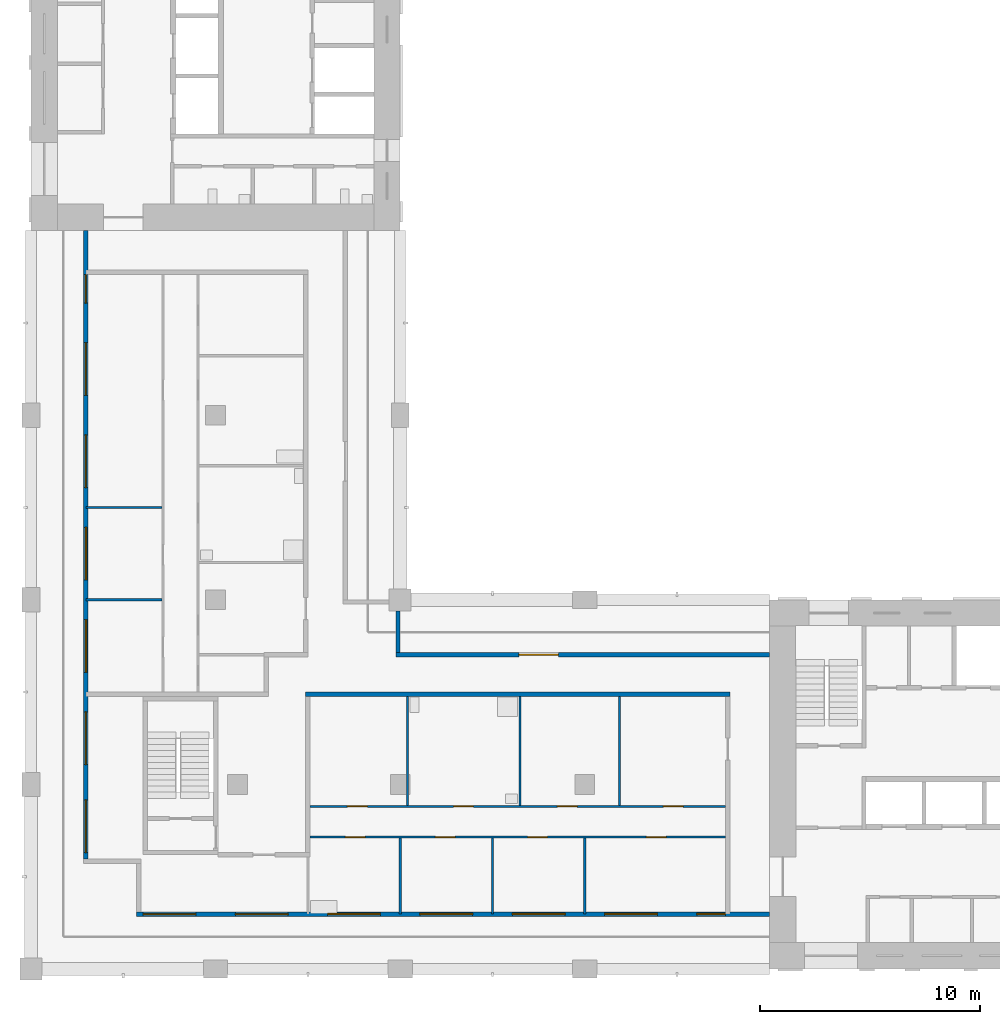
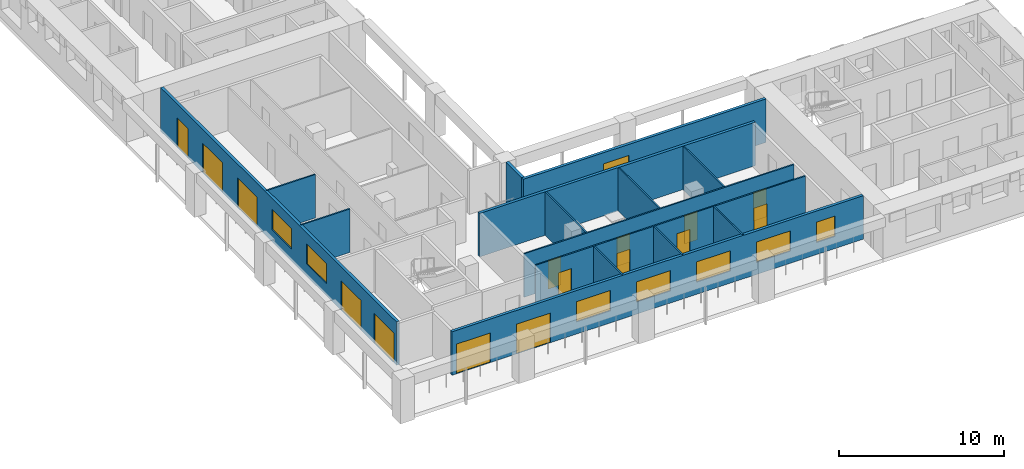
# One storey, part 2 of 9: 16 doors, 15 walls, 7 windows, 23 openings.
"""IFC4 building model written with IfcOpenShell, lengths in metres."""

import ifcopenshell
import ifcopenshell.guid

model = None  # the IFC model being written
_history = None  # IfcOwnerHistory: only IFC2X3 demands one
_inside = {}  # id of a spatial element -> (the spatial element, [elements in it])
_under = {}  # id of a project, library or spatial element -> (it, [spatial elements below it])
_declared = {}  # id of a project -> (the project, [libraries it declares])
_typed = {}  # id of a type object -> (the type object, [elements of that type])
_made_of = {}  # id of a material, layer set ... -> (it, [elements and type objects made of it])


def new_model(schema):
    """Start an empty IFC model of exactly this schema.

    Asked for "IFC4X3", IfcOpenShell would pick the latest addendum, in which some entities
    have other attributes; the version numbers below select the first issue.
    IFC2X3 requires an IfcOwnerHistory on every rooted entity: one is made here for all.
    """
    global model, _history
    if schema == "IFC4X3":
        model = ifcopenshell.file(schema_version=(4, 3, 0, 0))
    else:
        model = ifcopenshell.file(schema=schema)
    _inside.clear()
    _under.clear()
    _declared.clear()
    _typed.clear()
    _made_of.clear()
    _history = None
    if model.schema == "IFC2X3":
        org = make("IfcOrganization", Name="unknown")
        user = make(
            "IfcPersonAndOrganization",
            ThePerson=make("IfcPerson", FamilyName="unknown"),
            TheOrganization=org,
        )
        app = make(
            "IfcApplication",
            ApplicationDeveloper=org,
            Version="unknown",
            ApplicationFullName="unknown",
            ApplicationIdentifier="unknown",
        )
        _history = make(
            "IfcOwnerHistory",
            OwningUser=user,
            OwningApplication=app,
            ChangeAction="ADDED",
            CreationDate=0,
        )
    return model


def make(cls, **values):
    """One entity of the class cls with the attributes given. An attribute that is None is left unset."""
    return model.create_entity(
        cls, **{name: value for name, value in values.items() if value is not None}
    )


def rooted(cls, **values):
    """An entity with a GlobalId (a new one), such as an element, a storey or a relation."""
    return make(cls, GlobalId=ifcopenshell.guid.new(), OwnerHistory=_history, **values)


def si_unit(unit_type, name, prefix=None):
    """IfcSIUnit, for example si_unit("LENGTHUNIT", "METRE", prefix="MILLI")."""
    return make("IfcSIUnit", UnitType=unit_type, Prefix=prefix, Name=name)


def assignment(units):
    """IfcUnitAssignment: the units of a project."""
    return None if units is None else make("IfcUnitAssignment", Units=units)


def point(xyz):
    """IfcCartesianPoint."""
    return None if xyz is None else make("IfcCartesianPoint", Coordinates=xyz)


def direction(xyz):
    """IfcDirection."""
    return None if xyz is None else make("IfcDirection", DirectionRatios=xyz)


def frame(location, z_axis=None, x_axis=None):
    """IfcAxis2Placement3D, a coordinate frame: its origin and axes. An axis left out is left unset."""
    return make(
        "IfcAxis2Placement3D",
        Location=point(location),
        Axis=direction(z_axis),
        RefDirection=direction(x_axis),
    )


def frame_2d(location, x_axis=None):
    """IfcAxis2Placement2D, a coordinate frame in the plane: its origin and x axis."""
    return make(
        "IfcAxis2Placement2D", Location=point(location), RefDirection=direction(x_axis)
    )


def origin():
    """The frame at (0, 0, 0) with its axes left unset."""
    return frame((0.0, 0.0, 0.0))


def place(relative_to, where):
    """IfcLocalPlacement: puts the frame where relative to a parent placement (None: the world)."""
    return make(
        "IfcLocalPlacement", PlacementRelTo=relative_to, RelativePlacement=where
    )


def context(
    kind, dimensions, precision=None, world=None, true_north=None, identifier=None
):
    """IfcGeometricRepresentationContext, for example the 3D "Model" context."""
    return make(
        "IfcGeometricRepresentationContext",
        ContextIdentifier=identifier,
        ContextType=kind,
        CoordinateSpaceDimension=dimensions,
        Precision=precision,
        WorldCoordinateSystem=world,
        TrueNorth=true_north,
    )


def subcontext(parent, identifier, kind, view, scale=None):
    """IfcGeometricRepresentationSubContext, for example "Body" below "Model"."""
    return make(
        "IfcGeometricRepresentationSubContext",
        ContextIdentifier=identifier,
        ContextType=kind,
        ParentContext=parent,
        TargetScale=scale,
        TargetView=view,
    )


def project(units=None, contexts=None):
    """IfcProject with its units and contexts."""
    return rooted(
        "IfcProject",
        Name="project",
        RepresentationContexts=contexts,
        UnitsInContext=assignment(units),
    )


def spatial(cls, under=None, at=None, **own):
    """A site, building, storey or space (cls), placed at a placement, below another one or the project."""
    s = rooted(cls, ObjectPlacement=at, **own)
    if under is not None:
        _under.setdefault(under.id(), (under, []))[1].append(s)
    return s


def profile(cls, at=None, kind="AREA", **sizes):
    """A parametric profile (cls). Its sizes go by their IFC names, for example OverallWidth=200.0."""
    return make(cls, ProfileType=kind, Position=at, **sizes)


def rectangle(**sizes):
    """IfcRectangleProfileDef."""
    return profile("IfcRectangleProfileDef", **sizes)


def extrude(swept, where, along, depth):
    """IfcExtrudedAreaSolid: the profile swept, set in the frame where, extruded along a direction by depth."""
    return make(
        "IfcExtrudedAreaSolid",
        SweptArea=swept,
        Position=where,
        ExtrudedDirection=direction(along),
        Depth=depth,
    )


def shape(context_of_items, identifier, shape_type, items):
    """IfcShapeRepresentation: the items that make up one representation, for example the "Body"."""
    return make(
        "IfcShapeRepresentation",
        ContextOfItems=context_of_items,
        RepresentationIdentifier=identifier,
        RepresentationType=shape_type,
        Items=items,
    )


def material(Name=None, Category=None):
    """IfcMaterial."""
    return make("IfcMaterial", Name=Name, Category=Category)


def layer(
    of_material, thickness, ventilated=None, Name=None, Category=None, Priority=None
):
    """IfcMaterialLayer: one layer of a wall or slab, of a material (None: an air gap)."""
    return make(
        "IfcMaterialLayer",
        Material=of_material,
        LayerThickness=thickness,
        IsVentilated=ventilated,
        Name=Name,
        Category=Category,
        Priority=Priority,
    )


def layer_set(layers, Name=None):
    """IfcMaterialLayerSet."""
    return make("IfcMaterialLayerSet", MaterialLayers=layers, LayerSetName=Name)


def made_of(thing, what):
    """Note that an element or type object is made of a material, layer set ...; save() writes the relation."""
    if what is not None:
        _made_of.setdefault(what.id(), (what, []))[1].append(thing)
    return thing


def type_object(cls, material=None, **own):
    """A type object (cls), such as IfcWallType, which elements share."""
    return made_of(rooted(cls, **own), material)


def element(
    cls,
    number,
    at=None,
    inside=None,
    cuts=None,
    type_object=None,
    material=None,
    context=None,
    identifier="Body",
    shape_type=None,
    held_by="IfcProductDefinitionShape",
    body=None,
    shapes=None,
    **own,
):
    """One element of the class cls, such as IfcWall. Its Tag is "e" and its number.

    at: its placement. inside: the storey or other place that contains it. cuts: it is an
    opening in that element (IfcRelVoidsElement). A single representation is given by context,
    identifier, shape_type and body (its items); several are given by shapes. held_by: the class
    of the entity that holds the representations. save() writes the other relations.
    """
    e = rooted(cls, Tag="e%d" % number, ObjectPlacement=at, **own)
    if body is not None:
        shapes = [shape(context, identifier, shape_type, body)]
    if shapes is not None:
        e.Representation = make(held_by, Representations=shapes)
    if inside is not None:
        _inside.setdefault(inside.id(), (inside, []))[1].append(e)
    if cuts is not None:
        rooted(
            "IfcRelVoidsElement", RelatingBuildingElement=cuts, RelatedOpeningElement=e
        )
    if type_object is not None:
        _typed.setdefault(type_object.id(), (type_object, []))[1].append(e)
    return made_of(e, material)


def fill(opening, filler):
    """IfcRelFillsElement: the door or window that sits in an opening."""
    return rooted(
        "IfcRelFillsElement",
        RelatingOpeningElement=opening,
        RelatedBuildingElement=filler,
    )


def aggregate(whole, parts):
    """IfcRelAggregates: a whole, such as a stair, and the parts it consists of."""
    return rooted("IfcRelAggregates", RelatingObject=whole, RelatedObjects=parts)


def save(model, path):
    """Write the relations noted so far, then the file.

    IfcRelAggregates (storeys below a building ...), IfcRelContainedInSpatialStructure (elements
    in a storey), IfcRelDefinesByType, IfcRelAssociatesMaterial and IfcRelDeclares: one each for
    every whole, place, type object, material and project.
    """
    for whole, parts in _under.values():
        aggregate(whole, parts)
    for where, things in _inside.values():
        rooted(
            "IfcRelContainedInSpatialStructure",
            RelatedElements=things,
            RelatingStructure=where,
        )
    for kind, things in _typed.values():
        rooted("IfcRelDefinesByType", RelatedObjects=things, RelatingType=kind)
    for what, things in _made_of.values():
        rooted("IfcRelAssociatesMaterial", RelatedObjects=things, RelatingMaterial=what)
    for by, libraries in _declared.values():
        rooted("IfcRelDeclares", RelatingContext=by, RelatedDefinitions=libraries)
    model.write(path)


model = new_model("IFC4")

# Units and contexts
model_context = context("Model", 3, precision=1e-05, world=origin(), true_north=direction((0.0, 1.0)))
body_context = subcontext(model_context, "Body", "Model", "MODEL_VIEW")
ifc_project = project(units=[si_unit("LENGTHUNIT", "METRE"), si_unit("AREAUNIT", "SQUARE_METRE"), si_unit("VOLUMEUNIT", "CUBIC_METRE"), si_unit("PLANEANGLEUNIT", "RADIAN"), si_unit("MASSUNIT", "GRAM", prefix="KILO")], contexts=[model_context])

# Site, building, storey
site_placement = place(None, origin())
site = spatial("IfcSite", under=ifc_project, at=site_placement, CompositionType="ELEMENT")
building_placement = place(site_placement, origin())
building = spatial("IfcBuilding", under=site, at=building_placement, Name="Vermilion Gate Residences", CompositionType="ELEMENT")
storey_placement = place(building_placement, frame((0.0, 0.0, 224.699951171875)))
storey = spatial("IfcBuildingStorey", under=building, at=storey_placement, Name="L58", CompositionType="ELEMENT", Elevation=224.699951171875)

# Wall, openings, doors, windows
ifc_material_1 = material(Name="Insulated steel stud wall with terracotta rainscreen", Category="masonry")
ifc_layer_1 = layer(ifc_material_1, 0.199951171875)
ifc_layer_set_1 = layer_set([ifc_layer_1], Name="EXTERNAL WALL 200 TERRACOTTA RAINSCREEN")
wall_type_1 = type_object("IfcWallType", Name="EXTERNAL WALL 200 TERRACOTTA RAINSCREEN", PredefinedType="SOLIDWALL", material=ifc_layer_set_1)
wall_1_placement = place(storey_placement, frame((10.89990234375, 42.0, 0.0), z_axis=(0.0, 0.0, 1.0), x_axis=(0.0, -1.0, 0.0)))
wall_1 = element("IfcWall", 1, at=wall_1_placement, inside=storey, type_object=wall_type_1, Name="External wall", PredefinedType="SOLIDWALL", context=body_context, shape_type="SweptSolid", body=[
    extrude(rectangle(XDim=28.60009765625, YDim=0.199951171875, at=frame_2d((14.300048828125, 0.0))), origin(), (0.0, 0.0, 1.0), 3.219970703125),
])
opening_1_placement = place(wall_1_placement, frame((25.89990234375, 0.0, 0.0)))
opening_1 = element("IfcOpeningElement", 2, at=opening_1_placement, cuts=wall_1, Name="Opening DE58001", PredefinedType="OPENING", context=body_context, shape_type="SweptSolid", body=[
    extrude(rectangle(XDim=2.39990234375, YDim=2.199951171875, at=frame_2d((1.199951171875, 1.10009765625))), frame((0.0, 0.10986328125, 0.0), z_axis=(0.0, -1.0, 0.0), x_axis=(1.0, 0.0, 0.0)), (0.0, 0.0, 1.0), 0.219970703125),
])
opening_2_placement = place(wall_1_placement, frame((21.89990234375, 0.0, 0.0)))
opening_2 = element("IfcOpeningElement", 3, at=opening_2_placement, cuts=wall_1, Name="Opening DE58002", PredefinedType="OPENING", context=body_context, shape_type="SweptSolid", body=[
    extrude(rectangle(XDim=2.39990234375, YDim=2.199951171875, at=frame_2d((1.199951171875, 1.10009765625))), frame((0.0, 0.10986328125, 0.0), z_axis=(0.0, -1.0, 0.0), x_axis=(1.0, 0.0, 0.0)), (0.0, 0.0, 1.0), 0.219970703125),
])
opening_3_placement = place(wall_1_placement, frame((17.699951171875, 0.0, 0.89990234375)))
opening_3 = element("IfcOpeningElement", 4, at=opening_3_placement, cuts=wall_1, Name="Opening WE58003", PredefinedType="OPENING", context=body_context, shape_type="SweptSolid", body=[
    extrude(rectangle(XDim=2.39990234375, YDim=1.5, at=frame_2d((1.199951171875, 0.75))), frame((0.0, 0.10986328125, 0.0), z_axis=(0.0, -1.0, 0.0), x_axis=(1.0, 0.0, 0.0)), (0.0, 0.0, 1.0), 0.219970703125),
])
opening_4_placement = place(wall_1_placement, frame((13.5, 0.0, 0.89990234375)))
opening_4 = element("IfcOpeningElement", 5, at=opening_4_placement, cuts=wall_1, Name="Opening WE58004", PredefinedType="OPENING", context=body_context, shape_type="SweptSolid", body=[
    extrude(rectangle(XDim=2.39990234375, YDim=1.5, at=frame_2d((1.199951171875, 0.75))), frame((0.0, 0.10986328125, 0.0), z_axis=(0.0, -1.0, 0.0), x_axis=(1.0, 0.0, 0.0)), (0.0, 0.0, 1.0), 0.219970703125),
])
opening_5_placement = place(wall_1_placement, frame((9.300048828125, 0.0, 0.0)))
opening_5 = element("IfcOpeningElement", 6, at=opening_5_placement, cuts=wall_1, Name="Opening DE58005", PredefinedType="OPENING", context=body_context, shape_type="SweptSolid", body=[
    extrude(rectangle(XDim=2.39990234375, YDim=2.199951171875, at=frame_2d((1.199951171875, 1.10009765625))), frame((0.0, 0.10986328125, 0.0), z_axis=(0.0, -1.0, 0.0), x_axis=(1.0, 0.0, 0.0)), (0.0, 0.0, 1.0), 0.219970703125),
])
opening_6_placement = place(wall_1_placement, frame((5.10009765625, 0.0, 0.0)))
opening_6 = element("IfcOpeningElement", 7, at=opening_6_placement, cuts=wall_1, Name="Opening DE58006", PredefinedType="OPENING", context=body_context, shape_type="SweptSolid", body=[
    extrude(rectangle(XDim=2.39990234375, YDim=2.199951171875, at=frame_2d((1.199951171875, 1.10009765625))), frame((0.0, 0.10986328125, 0.0), z_axis=(0.0, -1.0, 0.0), x_axis=(1.0, 0.0, 0.0)), (0.0, 0.0, 1.0), 0.219970703125),
])
opening_7_placement = place(wall_1_placement, frame((2.0, 0.0, 0.0)))
opening_7 = element("IfcOpeningElement", 8, at=opening_7_placement, cuts=wall_1, Name="Opening DE58007", PredefinedType="OPENING", context=body_context, shape_type="SweptSolid", body=[
    extrude(rectangle(XDim=1.300048828125, YDim=2.199951171875, at=frame_2d((0.64990234375, 1.10009765625))), frame((0.0, 0.10986328125, 0.0), z_axis=(0.0, -1.0, 0.0), x_axis=(1.0, 0.0, 0.0)), (0.0, 0.0, 1.0), 0.219970703125),
])
ifc_material_2 = material(Name="Aluminium and clear glass", Category="aluminium")
door_type_1 = type_object("IfcDoorType", Name="SLIDING GLAZED DOOR 1300 X 2200", OperationType="DOUBLE_DOOR_SLIDING", PredefinedType="DOOR", material=ifc_material_2)
door_1_placement = place(opening_7_placement, origin())
door_1 = element("IfcDoor", 9, at=door_1_placement, inside=storey, type_object=door_type_1, Name="Loggia sliding door", OperationType="DOUBLE_DOOR_SLIDING", OverallHeight=2.199951171875, OverallWidth=1.300048828125, PredefinedType="DOOR", context=body_context, shape_type="SweptSolid", body=[
    extrude(rectangle(XDim=1.300048828125, YDim=2.199951171875, at=frame_2d((0.64990234375, 1.10009765625))), frame((0.0, 0.02490234375, 0.0), z_axis=(0.0, -1.0, 0.0), x_axis=(1.0, 0.0, 0.0)), (0.0, 0.0, 1.0), 0.050048828125),
])
fill(opening_7, door_1)
ifc_material_3 = material(Name="Aluminium and clear glass", Category="aluminium")
door_type_2 = type_object("IfcDoorType", Name="SLIDING GLAZED DOOR 2400 X 2200", OperationType="DOUBLE_DOOR_SLIDING", PredefinedType="DOOR", material=ifc_material_3)
door_2_placement = place(opening_1_placement, origin())
door_2 = element("IfcDoor", 10, at=door_2_placement, inside=storey, type_object=door_type_2, Name="Loggia sliding door", OperationType="DOUBLE_DOOR_SLIDING", OverallHeight=2.199951171875, OverallWidth=2.39990234375, PredefinedType="DOOR", context=body_context, shape_type="SweptSolid", body=[
    extrude(rectangle(XDim=2.39990234375, YDim=2.199951171875, at=frame_2d((1.199951171875, 1.10009765625))), frame((0.0, 0.02490234375, 0.0), z_axis=(0.0, -1.0, 0.0), x_axis=(1.0, 0.0, 0.0)), (0.0, 0.0, 1.0), 0.050048828125),
])
fill(opening_1, door_2)
door_3_placement = place(opening_2_placement, origin())
door_3 = element("IfcDoor", 11, at=door_3_placement, inside=storey, type_object=door_type_2, Name="Loggia sliding door", OperationType="DOUBLE_DOOR_SLIDING", OverallHeight=2.199951171875, OverallWidth=2.39990234375, PredefinedType="DOOR", context=body_context, shape_type="SweptSolid", body=[
    extrude(rectangle(XDim=2.39990234375, YDim=2.199951171875, at=frame_2d((1.199951171875, 1.10009765625))), frame((0.0, 0.02490234375, 0.0), z_axis=(0.0, -1.0, 0.0), x_axis=(1.0, 0.0, 0.0)), (0.0, 0.0, 1.0), 0.050048828125),
])
fill(opening_2, door_3)
door_4_placement = place(opening_5_placement, origin())
door_4 = element("IfcDoor", 12, at=door_4_placement, inside=storey, type_object=door_type_2, Name="Loggia sliding door", OperationType="DOUBLE_DOOR_SLIDING", OverallHeight=2.199951171875, OverallWidth=2.39990234375, PredefinedType="DOOR", context=body_context, shape_type="SweptSolid", body=[
    extrude(rectangle(XDim=2.39990234375, YDim=2.199951171875, at=frame_2d((1.199951171875, 1.10009765625))), frame((0.0, 0.02490234375, 0.0), z_axis=(0.0, -1.0, 0.0), x_axis=(1.0, 0.0, 0.0)), (0.0, 0.0, 1.0), 0.050048828125),
])
fill(opening_5, door_4)
door_5_placement = place(opening_6_placement, origin())
door_5 = element("IfcDoor", 13, at=door_5_placement, inside=storey, type_object=door_type_2, Name="Loggia sliding door", OperationType="DOUBLE_DOOR_SLIDING", OverallHeight=2.199951171875, OverallWidth=2.39990234375, PredefinedType="DOOR", context=body_context, shape_type="SweptSolid", body=[
    extrude(rectangle(XDim=2.39990234375, YDim=2.199951171875, at=frame_2d((1.199951171875, 1.10009765625))), frame((0.0, 0.02490234375, 0.0), z_axis=(0.0, -1.0, 0.0), x_axis=(1.0, 0.0, 0.0)), (0.0, 0.0, 1.0), 0.050048828125),
])
fill(opening_6, door_5)
ifc_material_4 = material(Name="Aluminium and clear glass", Category="aluminium")
window_type_1 = type_object("IfcWindowType", Name="WINDOW 2400 X 1500", PartitioningType="SINGLE_PANEL", PredefinedType="WINDOW", material=ifc_material_4)
window_1_placement = place(opening_3_placement, origin())
window_1 = element("IfcWindow", 14, at=window_1_placement, inside=storey, type_object=window_type_1, Name="Window", OverallHeight=1.5, OverallWidth=2.39990234375, PartitioningType="SINGLE_PANEL", PredefinedType="WINDOW", context=body_context, shape_type="SweptSolid", body=[
    extrude(rectangle(XDim=2.39990234375, YDim=1.5, at=frame_2d((1.199951171875, 0.75))), frame((0.0, 0.030029296875, 0.0), z_axis=(0.0, -1.0, 0.0), x_axis=(1.0, 0.0, 0.0)), (0.0, 0.0, 1.0), 0.06005859375),
])
fill(opening_3, window_1)
window_2_placement = place(opening_4_placement, origin())
window_2 = element("IfcWindow", 15, at=window_2_placement, inside=storey, type_object=window_type_1, Name="Window", OverallHeight=1.5, OverallWidth=2.39990234375, PartitioningType="SINGLE_PANEL", PredefinedType="WINDOW", context=body_context, shape_type="SweptSolid", body=[
    extrude(rectangle(XDim=2.39990234375, YDim=1.5, at=frame_2d((1.199951171875, 0.75))), frame((0.0, 0.030029296875, 0.0), z_axis=(0.0, -1.0, 0.0), x_axis=(1.0, 0.0, 0.0)), (0.0, 0.0, 1.0), 0.06005859375),
])
fill(opening_4, window_2)

wall_2_placement = place(storey_placement, frame((13.199951171875, 10.89990234375, 0.0), z_axis=(0.0, 0.0, 1.0), x_axis=(1.0, 0.0, 0.0)))
wall_2 = element("IfcWall", 16, at=wall_2_placement, inside=storey, type_object=wall_type_1, Name="External wall", PredefinedType="SOLIDWALL", context=body_context, shape_type="SweptSolid", body=[
    extrude(rectangle(XDim=28.800048828125, YDim=0.199951171875, at=frame_2d((14.39990234375, 0.0))), origin(), (0.0, 0.0, 1.0), 3.219970703125),
])
opening_8_placement = place(wall_2_placement, frame((0.300048828125, 0.0, 0.0)))
opening_8 = element("IfcOpeningElement", 17, at=opening_8_placement, cuts=wall_2, Name="Opening DE58008", PredefinedType="OPENING", context=body_context, shape_type="SweptSolid", body=[
    extrude(rectangle(XDim=2.39990234375, YDim=2.199951171875, at=frame_2d((1.199951171875, 1.10009765625))), frame((0.0, 0.10986328125, 0.0), z_axis=(0.0, -1.0, 0.0), x_axis=(1.0, 0.0, 0.0)), (0.0, 0.0, 1.0), 0.219970703125),
])
opening_9_placement = place(wall_2_placement, frame((4.5, 0.0, 0.0)))
opening_9 = element("IfcOpeningElement", 18, at=opening_9_placement, cuts=wall_2, Name="Opening DE58009", PredefinedType="OPENING", context=body_context, shape_type="SweptSolid", body=[
    extrude(rectangle(XDim=2.39990234375, YDim=2.199951171875, at=frame_2d((1.199951171875, 1.10009765625))), frame((0.0, 0.10986328125, 0.0), z_axis=(0.0, -1.0, 0.0), x_axis=(1.0, 0.0, 0.0)), (0.0, 0.0, 1.0), 0.219970703125),
])
opening_10_placement = place(wall_2_placement, frame((8.699951171875, 0.0, 0.89990234375)))
opening_10 = element("IfcOpeningElement", 19, at=opening_10_placement, cuts=wall_2, Name="Opening WE58010", PredefinedType="OPENING", context=body_context, shape_type="SweptSolid", body=[
    extrude(rectangle(XDim=2.39990234375, YDim=1.5, at=frame_2d((1.199951171875, 0.75))), frame((0.0, 0.10986328125, 0.0), z_axis=(0.0, -1.0, 0.0), x_axis=(1.0, 0.0, 0.0)), (0.0, 0.0, 1.0), 0.219970703125),
])
opening_11_placement = place(wall_2_placement, frame((12.89990234375, 0.0, 0.89990234375)))
opening_11 = element("IfcOpeningElement", 20, at=opening_11_placement, cuts=wall_2, Name="Opening WE58011", PredefinedType="OPENING", context=body_context, shape_type="SweptSolid", body=[
    extrude(rectangle(XDim=2.39990234375, YDim=1.5, at=frame_2d((1.199951171875, 0.75))), frame((0.0, 0.10986328125, 0.0), z_axis=(0.0, -1.0, 0.0), x_axis=(1.0, 0.0, 0.0)), (0.0, 0.0, 1.0), 0.219970703125),
])
opening_12_placement = place(wall_2_placement, frame((17.10009765625, 0.0, 0.89990234375)))
opening_12 = element("IfcOpeningElement", 21, at=opening_12_placement, cuts=wall_2, Name="Opening WE58012", PredefinedType="OPENING", context=body_context, shape_type="SweptSolid", body=[
    extrude(rectangle(XDim=2.39990234375, YDim=1.5, at=frame_2d((1.199951171875, 0.75))), frame((0.0, 0.10986328125, 0.0), z_axis=(0.0, -1.0, 0.0), x_axis=(1.0, 0.0, 0.0)), (0.0, 0.0, 1.0), 0.219970703125),
])
opening_13_placement = place(wall_2_placement, frame((21.300048828125, 0.0, 0.89990234375)))
opening_13 = element("IfcOpeningElement", 22, at=opening_13_placement, cuts=wall_2, Name="Opening WE58013", PredefinedType="OPENING", context=body_context, shape_type="SweptSolid", body=[
    extrude(rectangle(XDim=2.39990234375, YDim=1.5, at=frame_2d((1.199951171875, 0.75))), frame((0.0, 0.10986328125, 0.0), z_axis=(0.0, -1.0, 0.0), x_axis=(1.0, 0.0, 0.0)), (0.0, 0.0, 1.0), 0.219970703125),
])
opening_14_placement = place(wall_2_placement, frame((25.5, 0.0, 0.89990234375)))
opening_14 = element("IfcOpeningElement", 23, at=opening_14_placement, cuts=wall_2, Name="Opening WE58014", PredefinedType="OPENING", context=body_context, shape_type="SweptSolid", body=[
    extrude(rectangle(XDim=1.300048828125, YDim=1.5, at=frame_2d((0.64990234375, 0.75))), frame((0.0, 0.10986328125, 0.0), z_axis=(0.0, -1.0, 0.0), x_axis=(1.0, 0.0, 0.0)), (0.0, 0.0, 1.0), 0.219970703125),
])
door_6_placement = place(opening_8_placement, origin())
door_6 = element("IfcDoor", 24, at=door_6_placement, inside=storey, type_object=door_type_2, Name="Loggia sliding door", OperationType="DOUBLE_DOOR_SLIDING", OverallHeight=2.199951171875, OverallWidth=2.39990234375, PredefinedType="DOOR", context=body_context, shape_type="SweptSolid", body=[
    extrude(rectangle(XDim=2.39990234375, YDim=2.199951171875, at=frame_2d((1.199951171875, 1.10009765625))), frame((0.0, 0.02490234375, 0.0), z_axis=(0.0, -1.0, 0.0), x_axis=(1.0, 0.0, 0.0)), (0.0, 0.0, 1.0), 0.050048828125),
])
fill(opening_8, door_6)
door_7_placement = place(opening_9_placement, origin())
door_7 = element("IfcDoor", 25, at=door_7_placement, inside=storey, type_object=door_type_2, Name="Loggia sliding door", OperationType="DOUBLE_DOOR_SLIDING", OverallHeight=2.199951171875, OverallWidth=2.39990234375, PredefinedType="DOOR", context=body_context, shape_type="SweptSolid", body=[
    extrude(rectangle(XDim=2.39990234375, YDim=2.199951171875, at=frame_2d((1.199951171875, 1.10009765625))), frame((0.0, 0.02490234375, 0.0), z_axis=(0.0, -1.0, 0.0), x_axis=(1.0, 0.0, 0.0)), (0.0, 0.0, 1.0), 0.050048828125),
])
fill(opening_9, door_7)
ifc_material_5 = material(Name="Aluminium and clear glass", Category="aluminium")
window_type_2 = type_object("IfcWindowType", Name="WINDOW 1300 X 1500", PartitioningType="SINGLE_PANEL", PredefinedType="WINDOW", material=ifc_material_5)
window_3_placement = place(opening_14_placement, origin())
window_3 = element("IfcWindow", 26, at=window_3_placement, inside=storey, type_object=window_type_2, Name="Window", OverallHeight=1.5, OverallWidth=1.300048828125, PartitioningType="SINGLE_PANEL", PredefinedType="WINDOW", context=body_context, shape_type="SweptSolid", body=[
    extrude(rectangle(XDim=1.300048828125, YDim=1.5, at=frame_2d((0.64990234375, 0.75))), frame((0.0, 0.030029296875, 0.0), z_axis=(0.0, -1.0, 0.0), x_axis=(1.0, 0.0, 0.0)), (0.0, 0.0, 1.0), 0.06005859375),
])
fill(opening_14, window_3)
window_4_placement = place(opening_10_placement, origin())
window_4 = element("IfcWindow", 27, at=window_4_placement, inside=storey, type_object=window_type_1, Name="Window", OverallHeight=1.5, OverallWidth=2.39990234375, PartitioningType="SINGLE_PANEL", PredefinedType="WINDOW", context=body_context, shape_type="SweptSolid", body=[
    extrude(rectangle(XDim=2.39990234375, YDim=1.5, at=frame_2d((1.199951171875, 0.75))), frame((0.0, 0.030029296875, 0.0), z_axis=(0.0, -1.0, 0.0), x_axis=(1.0, 0.0, 0.0)), (0.0, 0.0, 1.0), 0.06005859375),
])
fill(opening_10, window_4)
window_5_placement = place(opening_11_placement, origin())
window_5 = element("IfcWindow", 28, at=window_5_placement, inside=storey, type_object=window_type_1, Name="Window", OverallHeight=1.5, OverallWidth=2.39990234375, PartitioningType="SINGLE_PANEL", PredefinedType="WINDOW", context=body_context, shape_type="SweptSolid", body=[
    extrude(rectangle(XDim=2.39990234375, YDim=1.5, at=frame_2d((1.199951171875, 0.75))), frame((0.0, 0.030029296875, 0.0), z_axis=(0.0, -1.0, 0.0), x_axis=(1.0, 0.0, 0.0)), (0.0, 0.0, 1.0), 0.06005859375),
])
fill(opening_11, window_5)
window_6_placement = place(opening_12_placement, origin())
window_6 = element("IfcWindow", 29, at=window_6_placement, inside=storey, type_object=window_type_1, Name="Window", OverallHeight=1.5, OverallWidth=2.39990234375, PartitioningType="SINGLE_PANEL", PredefinedType="WINDOW", context=body_context, shape_type="SweptSolid", body=[
    extrude(rectangle(XDim=2.39990234375, YDim=1.5, at=frame_2d((1.199951171875, 0.75))), frame((0.0, 0.030029296875, 0.0), z_axis=(0.0, -1.0, 0.0), x_axis=(1.0, 0.0, 0.0)), (0.0, 0.0, 1.0), 0.06005859375),
])
fill(opening_12, window_6)
window_7_placement = place(opening_13_placement, origin())
window_7 = element("IfcWindow", 30, at=window_7_placement, inside=storey, type_object=window_type_1, Name="Window", OverallHeight=1.5, OverallWidth=2.39990234375, PartitioningType="SINGLE_PANEL", PredefinedType="WINDOW", context=body_context, shape_type="SweptSolid", body=[
    extrude(rectangle(XDim=2.39990234375, YDim=1.5, at=frame_2d((1.199951171875, 0.75))), frame((0.0, 0.030029296875, 0.0), z_axis=(0.0, -1.0, 0.0), x_axis=(1.0, 0.0, 0.0)), (0.0, 0.0, 1.0), 0.06005859375),
])
fill(opening_13, window_7)

# Wall, opening, door
wall_3_placement = place(storey_placement, frame((42.0, 22.699951171875, 0.0), z_axis=(0.0, 0.0, 1.0), x_axis=(-1.0, 0.0, 0.0)))
wall_3 = element("IfcWall", 31, at=wall_3_placement, inside=storey, type_object=wall_type_1, Name="External wall", PredefinedType="SOLIDWALL", context=body_context, shape_type="SweptSolid", body=[
    extrude(rectangle(XDim=17.0, YDim=0.199951171875, at=frame_2d((8.5, 0.0))), origin(), (0.0, 0.0, 1.0), 3.219970703125),
])
opening_15_placement = place(wall_3_placement, frame((9.60009765625, 0.0, 0.0)))
opening_15 = element("IfcOpeningElement", 32, at=opening_15_placement, cuts=wall_3, Name="Opening DE58015", PredefinedType="OPENING", context=body_context, shape_type="SweptSolid", body=[
    extrude(rectangle(XDim=1.800048828125, YDim=2.39990234375, at=frame_2d((0.89990234375, 1.199951171875))), frame((0.0, 0.10986328125, 0.0), z_axis=(0.0, -1.0, 0.0), x_axis=(1.0, 0.0, 0.0)), (0.0, 0.0, 1.0), 0.219970703125),
])
ifc_material_6 = material(Name="Aluminium and clear glass", Category="aluminium")
door_type_3 = type_object("IfcDoorType", Name="GLAZED EXTERNAL DOOR 1800 X 2400", OperationType="DOUBLE_DOOR_SINGLE_SWING", PredefinedType="DOOR", material=ifc_material_6)
door_8_placement = place(opening_15_placement, frame((1.800048828125, 0.0, 0.0), z_axis=(0.0, 0.0, 1.0), x_axis=(-1.0, 0.0, 0.0)))
door_8 = element("IfcDoor", 33, at=door_8_placement, inside=storey, type_object=door_type_3, Name="Gallery door", OperationType="DOUBLE_DOOR_SINGLE_SWING", OverallHeight=2.39990234375, OverallWidth=1.800048828125, PredefinedType="DOOR", context=body_context, shape_type="SweptSolid", body=[
    extrude(rectangle(XDim=1.800048828125, YDim=2.39990234375, at=frame_2d((0.89990234375, 1.199951171875))), frame((0.0, 0.02490234375, 0.0), z_axis=(0.0, -1.0, 0.0), x_axis=(1.0, 0.0, 0.0)), (0.0, 0.0, 1.0), 0.050048828125),
])
fill(opening_15, door_8)

# Wall
wall_4_placement = place(storey_placement, frame((25.10009765625, 22.800048828125, 0.0), z_axis=(0.0, 0.0, 1.0), x_axis=(0.0, 1.0, 0.0)))
element("IfcWall", 34, at=wall_4_placement, inside=storey, type_object=wall_type_1, Name="External wall", PredefinedType="SOLIDWALL", context=body_context, shape_type="SweptSolid", body=[
    extrude(rectangle(XDim=1.89990234375, YDim=0.199951171875, at=frame_2d((0.949951171875, 0.0))), origin(), (0.0, 0.0, 1.0), 3.219970703125),
])

# Wall, openings, doors
ifc_material_7 = material(Name="Plasterboard on steel studs", Category="steel")
ifc_layer_2 = layer(ifc_material_7, 0.10009765625)
ifc_layer_set_2 = layer_set([ifc_layer_2], Name="PARTITION 100")
wall_type_2 = type_object("IfcWallType", Name="PARTITION 100", PredefinedType="PARTITIONING", material=ifc_layer_set_2)
wall_5_placement = place(storey_placement, frame((21.10009765625, 14.39990234375, 0.0), z_axis=(0.0, 0.0, 1.0), x_axis=(1.0, 0.0, 0.0)))
wall_5 = element("IfcWall", 35, at=wall_5_placement, inside=storey, type_object=wall_type_2, Name="Partition", PredefinedType="PARTITIONING", context=body_context, shape_type="SweptSolid", body=[
    extrude(rectangle(XDim=18.89990234375, YDim=0.10009765625, at=frame_2d((9.449951171875, 0.0))), origin(), (0.0, 0.0, 1.0), 3.219970703125),
])
opening_16_placement = place(wall_5_placement, frame((1.60009765625, 0.0, 0.0)))
opening_16 = element("IfcOpeningElement", 36, at=opening_16_placement, cuts=wall_5, Name="Opening DA58002", PredefinedType="OPENING", context=body_context, shape_type="SweptSolid", body=[
    extrude(rectangle(XDim=0.89990234375, YDim=2.10009765625, at=frame_2d((0.449951171875, 1.050048828125))), frame((0.0, 0.06005859375, 0.0), z_axis=(0.0, -1.0, 0.0), x_axis=(1.0, 0.0, 0.0)), (0.0, 0.0, 1.0), 0.1201171875),
])
opening_17_placement = place(wall_5_placement, frame((5.699951171875, 0.0, 0.0)))
opening_17 = element("IfcOpeningElement", 37, at=opening_17_placement, cuts=wall_5, Name="Opening DA58003", PredefinedType="OPENING", context=body_context, shape_type="SweptSolid", body=[
    extrude(rectangle(XDim=0.89990234375, YDim=2.10009765625, at=frame_2d((0.449951171875, 1.050048828125))), frame((0.0, 0.06005859375, 0.0), z_axis=(0.0, -1.0, 0.0), x_axis=(1.0, 0.0, 0.0)), (0.0, 0.0, 1.0), 0.1201171875),
])
opening_18_placement = place(wall_5_placement, frame((9.89990234375, 0.0, 0.0)))
opening_18 = element("IfcOpeningElement", 38, at=opening_18_placement, cuts=wall_5, Name="Opening DA58004", PredefinedType="OPENING", context=body_context, shape_type="SweptSolid", body=[
    extrude(rectangle(XDim=0.89990234375, YDim=2.10009765625, at=frame_2d((0.449951171875, 1.050048828125))), frame((0.0, 0.06005859375, 0.0), z_axis=(0.0, -1.0, 0.0), x_axis=(1.0, 0.0, 0.0)), (0.0, 0.0, 1.0), 0.1201171875),
])
opening_19_placement = place(wall_5_placement, frame((15.300048828125, 0.0, 0.0)))
opening_19 = element("IfcOpeningElement", 39, at=opening_19_placement, cuts=wall_5, Name="Opening DA58005", PredefinedType="OPENING", context=body_context, shape_type="SweptSolid", body=[
    extrude(rectangle(XDim=0.89990234375, YDim=2.10009765625, at=frame_2d((0.449951171875, 1.050048828125))), frame((0.0, 0.06005859375, 0.0), z_axis=(0.0, -1.0, 0.0), x_axis=(1.0, 0.0, 0.0)), (0.0, 0.0, 1.0), 0.1201171875),
])
ifc_material_8 = material(Name="Timber", Category="wood")
door_type_4 = type_object("IfcDoorType", Name="INTERIOR DOOR 900 X 2100", OperationType="SINGLE_SWING_LEFT", PredefinedType="DOOR", material=ifc_material_8)
door_9_placement = place(opening_16_placement, frame((0.89990234375, 0.0, 0.0), z_axis=(0.0, 0.0, 1.0), x_axis=(-1.0, 0.0, 0.0)))
door_9 = element("IfcDoor", 40, at=door_9_placement, inside=storey, type_object=door_type_4, Name="Interior door", OperationType="SINGLE_SWING_LEFT", OverallHeight=2.10009765625, OverallWidth=0.89990234375, PredefinedType="DOOR", context=body_context, shape_type="SweptSolid", body=[
    extrude(rectangle(XDim=0.89990234375, YDim=2.10009765625, at=frame_2d((0.449951171875, 1.050048828125))), frame((0.0, 0.02490234375, 0.0), z_axis=(0.0, -1.0, 0.0), x_axis=(1.0, 0.0, 0.0)), (0.0, 0.0, 1.0), 0.050048828125),
])
fill(opening_16, door_9)
door_10_placement = place(opening_17_placement, frame((0.89990234375, 0.0, 0.0), z_axis=(0.0, 0.0, 1.0), x_axis=(-1.0, 0.0, 0.0)))
door_10 = element("IfcDoor", 41, at=door_10_placement, inside=storey, type_object=door_type_4, Name="Interior door", OperationType="SINGLE_SWING_RIGHT", OverallHeight=2.10009765625, OverallWidth=0.89990234375, PredefinedType="DOOR", context=body_context, shape_type="SweptSolid", body=[
    extrude(rectangle(XDim=0.89990234375, YDim=2.10009765625, at=frame_2d((0.449951171875, 1.050048828125))), frame((0.0, 0.02490234375, 0.0), z_axis=(0.0, -1.0, 0.0), x_axis=(1.0, 0.0, 0.0)), (0.0, 0.0, 1.0), 0.050048828125),
])
fill(opening_17, door_10)
door_11_placement = place(opening_18_placement, frame((0.89990234375, 0.0, 0.0), z_axis=(0.0, 0.0, 1.0), x_axis=(-1.0, 0.0, 0.0)))
door_11 = element("IfcDoor", 42, at=door_11_placement, inside=storey, type_object=door_type_4, Name="Interior door", OperationType="SINGLE_SWING_RIGHT", OverallHeight=2.10009765625, OverallWidth=0.89990234375, PredefinedType="DOOR", context=body_context, shape_type="SweptSolid", body=[
    extrude(rectangle(XDim=0.89990234375, YDim=2.10009765625, at=frame_2d((0.449951171875, 1.050048828125))), frame((0.0, 0.02490234375, 0.0), z_axis=(0.0, -1.0, 0.0), x_axis=(1.0, 0.0, 0.0)), (0.0, 0.0, 1.0), 0.050048828125),
])
fill(opening_18, door_11)
door_12_placement = place(opening_19_placement, frame((0.89990234375, 0.0, 0.0), z_axis=(0.0, 0.0, 1.0), x_axis=(-1.0, 0.0, 0.0)))
door_12 = element("IfcDoor", 43, at=door_12_placement, inside=storey, type_object=door_type_4, Name="Interior door", OperationType="SINGLE_SWING_LEFT", OverallHeight=2.10009765625, OverallWidth=0.89990234375, PredefinedType="DOOR", context=body_context, shape_type="SweptSolid", body=[
    extrude(rectangle(XDim=0.89990234375, YDim=2.10009765625, at=frame_2d((0.449951171875, 1.050048828125))), frame((0.0, 0.02490234375, 0.0), z_axis=(0.0, -1.0, 0.0), x_axis=(1.0, 0.0, 0.0)), (0.0, 0.0, 1.0), 0.050048828125),
])
fill(opening_19, door_12)

wall_6_placement = place(storey_placement, frame((21.10009765625, 15.800048828125, 0.0), z_axis=(0.0, 0.0, 1.0), x_axis=(1.0, 0.0, 0.0)))
wall_6 = element("IfcWall", 44, at=wall_6_placement, inside=storey, type_object=wall_type_2, Name="Partition", PredefinedType="PARTITIONING", context=body_context, shape_type="SweptSolid", body=[
    extrude(rectangle(XDim=18.89990234375, YDim=0.10009765625, at=frame_2d((9.449951171875, 0.0))), origin(), (0.0, 0.0, 1.0), 3.219970703125),
])
opening_20_placement = place(wall_6_placement, frame((16.074951171875, 0.0, 0.0)))
opening_20 = element("IfcOpeningElement", 45, at=opening_20_placement, cuts=wall_6, Name="Opening DA58006", PredefinedType="OPENING", context=body_context, shape_type="SweptSolid", body=[
    extrude(rectangle(XDim=0.89990234375, YDim=2.10009765625, at=frame_2d((0.449951171875, 1.050048828125))), frame((0.0, 0.06005859375, 0.0), z_axis=(0.0, -1.0, 0.0), x_axis=(1.0, 0.0, 0.0)), (0.0, 0.0, 1.0), 0.1201171875),
])
opening_21_placement = place(wall_6_placement, frame((1.699951171875, 0.0, 0.0)))
opening_21 = element("IfcOpeningElement", 46, at=opening_21_placement, cuts=wall_6, Name="Opening DA58007", PredefinedType="OPENING", context=body_context, shape_type="SweptSolid", body=[
    extrude(rectangle(XDim=0.89990234375, YDim=2.10009765625, at=frame_2d((0.449951171875, 1.050048828125))), frame((0.0, 0.06005859375, 0.0), z_axis=(0.0, -1.0, 0.0), x_axis=(1.0, 0.0, 0.0)), (0.0, 0.0, 1.0), 0.1201171875),
])
opening_22_placement = place(wall_6_placement, frame((6.52490234375, 0.0, 0.0)))
opening_22 = element("IfcOpeningElement", 47, at=opening_22_placement, cuts=wall_6, Name="Opening DA58008", PredefinedType="OPENING", context=body_context, shape_type="SweptSolid", body=[
    extrude(rectangle(XDim=0.89990234375, YDim=2.10009765625, at=frame_2d((0.449951171875, 1.050048828125))), frame((0.0, 0.06005859375, 0.0), z_axis=(0.0, -1.0, 0.0), x_axis=(1.0, 0.0, 0.0)), (0.0, 0.0, 1.0), 0.1201171875),
])
opening_23_placement = place(wall_6_placement, frame((11.25, 0.0, 0.0)))
opening_23 = element("IfcOpeningElement", 48, at=opening_23_placement, cuts=wall_6, Name="Opening DA58009", PredefinedType="OPENING", context=body_context, shape_type="SweptSolid", body=[
    extrude(rectangle(XDim=0.89990234375, YDim=2.10009765625, at=frame_2d((0.449951171875, 1.050048828125))), frame((0.0, 0.06005859375, 0.0), z_axis=(0.0, -1.0, 0.0), x_axis=(1.0, 0.0, 0.0)), (0.0, 0.0, 1.0), 0.1201171875),
])
door_13_placement = place(opening_20_placement, frame((0.89990234375, 0.0, 0.0), z_axis=(0.0, 0.0, 1.0), x_axis=(-1.0, 0.0, 0.0)))
door_13 = element("IfcDoor", 49, at=door_13_placement, inside=storey, type_object=door_type_4, Name="Interior door", OperationType="SINGLE_SWING_LEFT", OverallHeight=2.10009765625, OverallWidth=0.89990234375, PredefinedType="DOOR", context=body_context, shape_type="SweptSolid", body=[
    extrude(rectangle(XDim=0.89990234375, YDim=2.10009765625, at=frame_2d((0.449951171875, 1.050048828125))), frame((0.0, 0.02490234375, 0.0), z_axis=(0.0, -1.0, 0.0), x_axis=(1.0, 0.0, 0.0)), (0.0, 0.0, 1.0), 0.050048828125),
])
fill(opening_20, door_13)
door_14_placement = place(opening_21_placement, origin())
door_14 = element("IfcDoor", 50, at=door_14_placement, inside=storey, type_object=door_type_4, Name="Interior door", OperationType="SINGLE_SWING_LEFT", OverallHeight=2.10009765625, OverallWidth=0.89990234375, PredefinedType="DOOR", context=body_context, shape_type="SweptSolid", body=[
    extrude(rectangle(XDim=0.89990234375, YDim=2.10009765625, at=frame_2d((0.449951171875, 1.050048828125))), frame((0.0, 0.02490234375, 0.0), z_axis=(0.0, -1.0, 0.0), x_axis=(1.0, 0.0, 0.0)), (0.0, 0.0, 1.0), 0.050048828125),
])
fill(opening_21, door_14)
door_15_placement = place(opening_22_placement, origin())
door_15 = element("IfcDoor", 51, at=door_15_placement, inside=storey, type_object=door_type_4, Name="Interior door", OperationType="SINGLE_SWING_RIGHT", OverallHeight=2.10009765625, OverallWidth=0.89990234375, PredefinedType="DOOR", context=body_context, shape_type="SweptSolid", body=[
    extrude(rectangle(XDim=0.89990234375, YDim=2.10009765625, at=frame_2d((0.449951171875, 1.050048828125))), frame((0.0, 0.02490234375, 0.0), z_axis=(0.0, -1.0, 0.0), x_axis=(1.0, 0.0, 0.0)), (0.0, 0.0, 1.0), 0.050048828125),
])
fill(opening_22, door_15)
door_16_placement = place(opening_23_placement, origin())
door_16 = element("IfcDoor", 52, at=door_16_placement, inside=storey, type_object=door_type_4, Name="Interior door", OperationType="SINGLE_SWING_LEFT", OverallHeight=2.10009765625, OverallWidth=0.89990234375, PredefinedType="DOOR", context=body_context, shape_type="SweptSolid", body=[
    extrude(rectangle(XDim=0.89990234375, YDim=2.10009765625, at=frame_2d((0.449951171875, 1.050048828125))), frame((0.0, 0.02490234375, 0.0), z_axis=(0.0, -1.0, 0.0), x_axis=(1.0, 0.0, 0.0)), (0.0, 0.0, 1.0), 0.050048828125),
])
fill(opening_23, door_16)

# Walls
for number, where, z_axis, x_axis, name in (
    (53, (10.89990234375, 25.199951171875, 0.0), (0.0, 0.0, 1.0), (1.0, 0.0, 0.0), "Partition"),
    (54, (10.89990234375, 29.39990234375, 0.0), (0.0, 0.0, 1.0), (1.0, 0.0, 0.0), "Partition"),
    (55, (25.199951171875, 10.89990234375, 0.0), (0.0, 0.0, 1.0), (0.0, 1.0, 0.0), "Partition"),
):
    element("IfcWall", number, at=place(storey_placement, frame(where, z_axis=z_axis, x_axis=x_axis)), inside=storey, type_object=wall_type_2, Name=name, PredefinedType="PARTITIONING", context=body_context, shape_type="SweptSolid", body=[
        extrude(rectangle(XDim=3.4501953125, YDim=0.10009765625, at=frame_2d((1.72509765625, 0.0))), origin(), (0.0, 0.0, 1.0), 3.219970703125),
    ])
wall_7_placement = place(storey_placement, frame((25.52490234375, 15.85009765625, 0.0), z_axis=(0.0, 0.0, 1.0), x_axis=(0.0, 1.0, 0.0)))
element("IfcWall", 56, at=wall_7_placement, inside=storey, type_object=wall_type_2, Name="Partition", PredefinedType="PARTITIONING", context=body_context, shape_type="SweptSolid", body=[
    extrude(rectangle(XDim=4.949951171875, YDim=0.10009765625, at=frame_2d((2.47509765625, 0.0))), origin(), (0.0, 0.0, 1.0), 3.219970703125),
])
wall_8_placement = place(storey_placement, frame((29.39990234375, 10.89990234375, 0.0), z_axis=(0.0, 0.0, 1.0), x_axis=(0.0, 1.0, 0.0)))
element("IfcWall", 57, at=wall_8_placement, inside=storey, type_object=wall_type_2, Name="Partition", PredefinedType="PARTITIONING", context=body_context, shape_type="SweptSolid", body=[
    extrude(rectangle(XDim=3.4501953125, YDim=0.10009765625, at=frame_2d((1.72509765625, 0.0))), origin(), (0.0, 0.0, 1.0), 3.219970703125),
])
wall_9_placement = place(storey_placement, frame((30.64990234375, 15.85009765625, 0.0), z_axis=(0.0, 0.0, 1.0), x_axis=(0.0, 1.0, 0.0)))
element("IfcWall", 58, at=wall_9_placement, inside=storey, type_object=wall_type_2, Name="Partition", PredefinedType="PARTITIONING", context=body_context, shape_type="SweptSolid", body=[
    extrude(rectangle(XDim=4.949951171875, YDim=0.10009765625, at=frame_2d((2.47509765625, 0.0))), origin(), (0.0, 0.0, 1.0), 3.219970703125),
])
wall_10_placement = place(storey_placement, frame((33.60009765625, 10.89990234375, 0.0), z_axis=(0.0, 0.0, 1.0), x_axis=(0.0, 1.0, 0.0)))
element("IfcWall", 59, at=wall_10_placement, inside=storey, type_object=wall_type_2, Name="Partition", PredefinedType="PARTITIONING", context=body_context, shape_type="SweptSolid", body=[
    extrude(rectangle(XDim=3.4501953125, YDim=0.10009765625, at=frame_2d((1.72509765625, 0.0))), origin(), (0.0, 0.0, 1.0), 3.219970703125),
])
wall_11_placement = place(storey_placement, frame((35.175048828125, 15.85009765625, 0.0), z_axis=(0.0, 0.0, 1.0), x_axis=(0.0, 1.0, 0.0)))
element("IfcWall", 60, at=wall_11_placement, inside=storey, type_object=wall_type_2, Name="Partition", PredefinedType="PARTITIONING", context=body_context, shape_type="SweptSolid", body=[
    extrude(rectangle(XDim=4.949951171875, YDim=0.10009765625, at=frame_2d((2.47509765625, 0.0))), origin(), (0.0, 0.0, 1.0), 3.219970703125),
])
ifc_material_9 = material(Name="Fire-rated plasterboard on steel studs", Category="steel")
ifc_layer_3 = layer(ifc_material_9, 0.199951171875)
ifc_layer_set_3 = layer_set([ifc_layer_3], Name="PARTY WALL 200 EI 120")
wall_type_3 = type_object("IfcWallType", Name="PARTY WALL 200 EI 120", PredefinedType="PARTITIONING", material=ifc_layer_set_3)
wall_12_placement = place(storey_placement, frame((20.89990234375, 20.89990234375, 0.0), z_axis=(0.0, 0.0, 1.0), x_axis=(1.0, 0.0, 0.0)))
element("IfcWall", 61, at=wall_12_placement, inside=storey, type_object=wall_type_3, Name="Party and corridor wall", PredefinedType="PARTITIONING", context=body_context, shape_type="SweptSolid", body=[
    extrude(rectangle(XDim=19.300048828125, YDim=0.199951171875, at=frame_2d((9.64990234375, 0.0))), origin(), (0.0, 0.0, 1.0), 3.219970703125),
])

save(model, "model.ifc")
